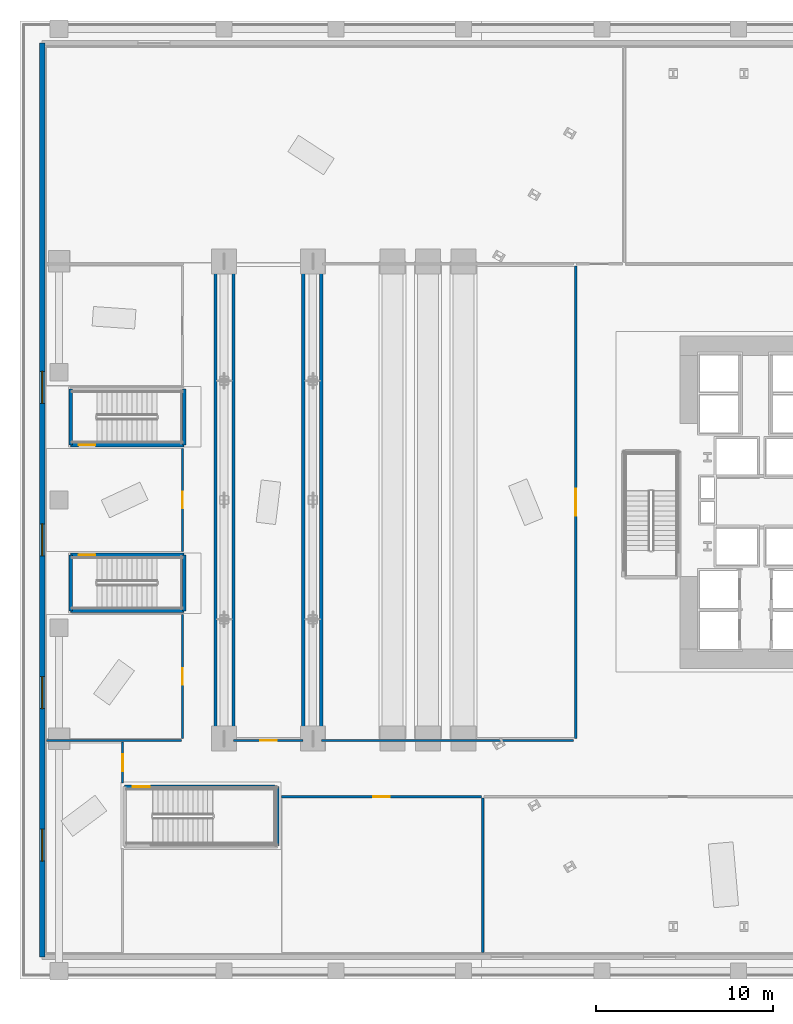
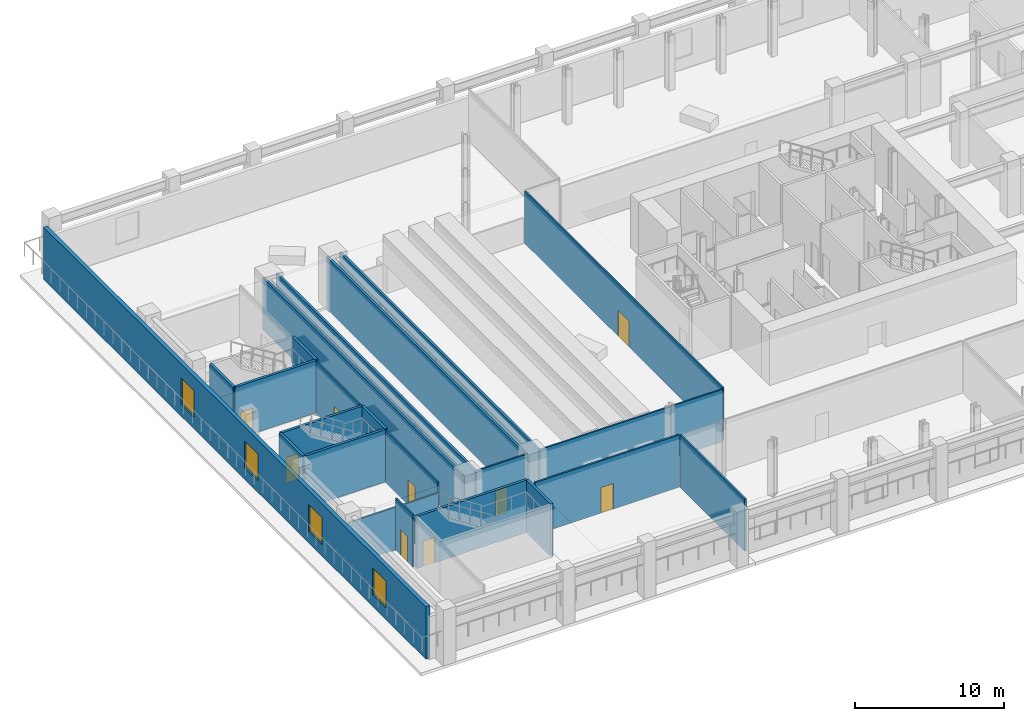
# One storey, part 7 of 24: 23 walls, 9 doors, 4 windows, 13 openings.
"""IFC4 building model written with IfcOpenShell, lengths in metres."""

from ifc_helpers import new_model, si_unit, direction, frame, frame_2d, origin, place, context, subcontext, project, spatial, rectangle, extrude, material, layer, layer_set, type_object, element, fill, save


model = new_model("IFC4")

# Units and contexts
model_context = context("Model", 3, precision=1e-05, world=origin(), true_north=direction((0.0, 1.0)))
body_context = subcontext(model_context, "Body", "Model", "MODEL_VIEW")
ifc_project = project(units=[si_unit("LENGTHUNIT", "METRE"), si_unit("AREAUNIT", "SQUARE_METRE"), si_unit("VOLUMEUNIT", "CUBIC_METRE"), si_unit("PLANEANGLEUNIT", "RADIAN"), si_unit("MASSUNIT", "GRAM", prefix="KILO")], contexts=[model_context])

# Site, building, storey
site_placement = place(None, origin())
site = spatial("IfcSite", under=ifc_project, at=site_placement, CompositionType="ELEMENT")
building_placement = place(site_placement, origin())
building = spatial("IfcBuilding", under=site, at=building_placement, Name="Valkerne Bourse Tower", CompositionType="ELEMENT")
storey_placement = place(building_placement, frame((0.0, 0.0, 19.39990234375)))
storey = spatial("IfcBuildingStorey", under=building, at=storey_placement, Name="L04", CompositionType="ELEMENT", Elevation=19.39990234375)

# Wall, opening, door
ifc_material_1 = material(Name="Gypsum Board Steel-Stud Partition", Category="steel")
ifc_layer_1 = layer(ifc_material_1, 0.117919921875)
ifc_layer_set_1 = layer_set([ifc_layer_1], Name="Gypsum Board Steel-Stud Partition")
wall_type_1 = type_object("IfcWallType", Name="W-CORR-140", PredefinedType="PARTITIONING", material=ifc_layer_set_1)
wall_1_placement = place(storey_placement, frame((5.780029296875, 11.050048828125, 0.0), z_axis=(0.0, 0.0, 1.0), x_axis=(0.0, 1.0, 0.0)))
wall_1 = element("IfcWall", 1, at=wall_1_placement, inside=storey, type_object=wall_type_1, Name="L04 L04 South-West Operations Office Wall", PredefinedType="PARTITIONING", context=body_context, shape_type="SweptSolid", body=[
    extrude(rectangle(XDim=2.300048828125, YDim=0.117919921875, at=frame_2d((1.14990234375, 0.0))), origin(), (0.0, 0.0, 1.0), 4.300048828125),
])
opening_1_placement = place(wall_1_placement, frame((0.675048828125, 0.0, 0.0)))
opening_1 = element("IfcOpeningElement", 2, at=opening_1_placement, cuts=wall_1, Name="Opening D-OF-950", PredefinedType="OPENING", context=body_context, shape_type="SweptSolid", body=[
    extrude(rectangle(XDim=0.949951171875, YDim=2.10009765625, at=frame_2d((0.47509765625, 1.050048828125))), frame((0.0, 0.06884765625, 0.0), z_axis=(0.0, -1.0, 0.0), x_axis=(1.0, 0.0, 0.0)), (0.0, 0.0, 1.0), 0.137939453125),
])
ifc_material_2 = material(Name="Architectural White Oak Timber", Category="wood")
door_type_1 = type_object("IfcDoorType", Name="DR-OFF-950", OperationType="NOTDEFINED", PredefinedType="DOOR", material=ifc_material_2)
door_1_placement = place(opening_1_placement, origin())
door_1 = element("IfcDoor", 3, at=door_1_placement, inside=storey, type_object=door_type_1, Name="L04 L04 SW Office Door", OperationType="SINGLE_SWING_RIGHT", OverallHeight=2.10009765625, OverallWidth=0.949951171875, PredefinedType="DOOR", context=body_context, shape_type="SweptSolid", body=[
    extrude(rectangle(XDim=0.949951171875, YDim=2.10009765625, at=frame_2d((0.47509765625, 1.050048828125))), frame((0.0, 0.02490234375, 0.0), z_axis=(0.0, -1.0, 0.0), x_axis=(1.0, 0.0, 0.0)), (0.0, 0.0, 1.0), 0.050048828125),
])
fill(opening_1, door_1)

wall_2_placement = place(storey_placement, frame((9.159912109375, 24.10009765625, 0.0), z_axis=(0.0, 0.0, 1.0), x_axis=(0.0, 1.0, 0.0)))
wall_2 = element("IfcWall", 4, at=wall_2_placement, inside=storey, type_object=wall_type_1, Name="L04 L04 Garden Stair Vestibule Lounge Wall", PredefinedType="PARTITIONING", context=body_context, shape_type="SweptSolid", body=[
    extrude(rectangle(XDim=5.7998046875, YDim=0.117919921875, at=frame_2d((2.89990234375, 0.0))), origin(), (0.0, 0.0, 1.0), 4.300048828125),
])
opening_2_placement = place(wall_2_placement, frame((2.425048828125, 0.0, 0.0)))
opening_2 = element("IfcOpeningElement", 5, at=opening_2_placement, cuts=wall_2, Name="Opening D-OF-950", PredefinedType="OPENING", context=body_context, shape_type="SweptSolid", body=[
    extrude(rectangle(XDim=0.949951171875, YDim=2.10009765625, at=frame_2d((0.47509765625, 1.050048828125))), frame((0.0, 0.06884765625, 0.0), z_axis=(0.0, -1.0, 0.0), x_axis=(1.0, 0.0, 0.0)), (0.0, 0.0, 1.0), 0.137939453125),
])
door_2_placement = place(opening_2_placement, origin())
door_2 = element("IfcDoor", 6, at=door_2_placement, inside=storey, type_object=door_type_1, Name="L04 L04 Garden Vestibule Lounge Door", OperationType="SINGLE_SWING_RIGHT", OverallHeight=2.10009765625, OverallWidth=0.949951171875, PredefinedType="DOOR", context=body_context, shape_type="SweptSolid", body=[
    extrude(rectangle(XDim=0.949951171875, YDim=2.10009765625, at=frame_2d((0.47509765625, 1.050048828125))), frame((0.0, 0.02490234375, 0.0), z_axis=(0.0, -1.0, 0.0), x_axis=(1.0, 0.0, 0.0)), (0.0, 0.0, 1.0), 0.050048828125),
])
fill(opening_2, door_2)

# Wall
wall_3_placement = place(storey_placement, frame((1.5, 13.449951171875, 0.0), z_axis=(0.0, 0.0, 1.0), x_axis=(1.0, 0.0, 0.0)))
element("IfcWall", 7, at=wall_3_placement, inside=storey, type_object=wall_type_1, Name="L04 L04 West Advisory Office Wall", PredefinedType="PARTITIONING", context=body_context, shape_type="SweptSolid", body=[
    extrude(rectangle(XDim=7.60009765625, YDim=0.117919921875, at=frame_2d((3.800048828125, 0.0))), origin(), (0.0, 0.0, 1.0), 3.505126953125),
])

# Wall, opening, door
wall_4_placement = place(storey_placement, frame((9.159912109375, 13.550048828125, 0.0), z_axis=(0.0, 0.0, 1.0), x_axis=(0.0, 1.0, 0.0)))
wall_4 = element("IfcWall", 8, at=wall_4_placement, inside=storey, type_object=wall_type_1, Name="L04 L04 West Advisory Office Wall", PredefinedType="PARTITIONING", context=body_context, shape_type="SweptSolid", body=[
    extrude(rectangle(XDim=7.0, YDim=0.117919921875, at=frame_2d((3.5, 0.0))), origin(), (0.0, 0.0, 1.0), 4.300048828125),
])
opening_3_placement = place(wall_4_placement, frame((3.02490234375, 0.0, 0.0)))
opening_3 = element("IfcOpeningElement", 9, at=opening_3_placement, cuts=wall_4, Name="Opening D-OF-950", PredefinedType="OPENING", context=body_context, shape_type="SweptSolid", body=[
    extrude(rectangle(XDim=0.949951171875, YDim=2.10009765625, at=frame_2d((0.47509765625, 1.050048828125))), frame((0.0, 0.06884765625, 0.0), z_axis=(0.0, -1.0, 0.0), x_axis=(1.0, 0.0, 0.0)), (0.0, 0.0, 1.0), 0.137939453125),
])
door_3_placement = place(opening_3_placement, origin())
door_3 = element("IfcDoor", 10, at=door_3_placement, inside=storey, type_object=door_type_1, Name="L04 L04 West Advisory Office Door", OperationType="SINGLE_SWING_RIGHT", OverallHeight=2.10009765625, OverallWidth=0.949951171875, PredefinedType="DOOR", context=body_context, shape_type="SweptSolid", body=[
    extrude(rectangle(XDim=0.949951171875, YDim=2.10009765625, at=frame_2d((0.47509765625, 1.050048828125))), frame((0.0, 0.02490234375, 0.0), z_axis=(0.0, -1.0, 0.0), x_axis=(1.0, 0.0, 0.0)), (0.0, 0.0, 1.0), 0.050048828125),
])
fill(opening_3, door_3)

wall_5_placement = place(storey_placement, frame((12.0400390625, 13.449951171875, 0.0), z_axis=(0.0, 0.0, 1.0), x_axis=(1.0, 0.0, 0.0)))
wall_5 = element("IfcWall", 11, at=wall_5_placement, inside=storey, type_object=wall_type_1, Name="L04 L04 Fixed-Income Repo Office Wall", PredefinedType="PARTITIONING", context=body_context, shape_type="SweptSolid", body=[
    extrude(rectangle(XDim=3.919921875, YDim=0.117919921875, at=frame_2d((1.9599609375, 0.0))), origin(), (0.0, 0.0, 1.0), 4.300048828125),
])
opening_4_placement = place(wall_5_placement, frame((1.485107421875, 0.0, 0.0)))
opening_4 = element("IfcOpeningElement", 12, at=opening_4_placement, cuts=wall_5, Name="Opening D-OF-950", PredefinedType="OPENING", context=body_context, shape_type="SweptSolid", body=[
    extrude(rectangle(XDim=0.949951171875, YDim=2.10009765625, at=frame_2d((0.47509765625, 1.050048828125))), frame((0.0, 0.06884765625, 0.0), z_axis=(0.0, -1.0, 0.0), x_axis=(1.0, 0.0, 0.0)), (0.0, 0.0, 1.0), 0.137939453125),
])
door_4_placement = place(opening_4_placement, origin())
door_4 = element("IfcDoor", 13, at=door_4_placement, inside=storey, type_object=door_type_1, Name="L04 L04 Repo Office Door", OperationType="SINGLE_SWING_RIGHT", OverallHeight=2.10009765625, OverallWidth=0.949951171875, PredefinedType="DOOR", context=body_context, shape_type="SweptSolid", body=[
    extrude(rectangle(XDim=0.949951171875, YDim=2.10009765625, at=frame_2d((0.47509765625, 1.050048828125))), frame((0.0, 0.02490234375, 0.0), z_axis=(0.0, -1.0, 0.0), x_axis=(1.0, 0.0, 0.0)), (0.0, 0.0, 1.0), 0.050048828125),
])
fill(opening_4, door_4)

# Wall
wall_6_placement = place(storey_placement, frame((16.97998046875, 13.449951171875, 0.0), z_axis=(0.0, 0.0, 1.0), x_axis=(1.0, 0.0, 0.0)))
element("IfcWall", 14, at=wall_6_placement, inside=storey, type_object=wall_type_1, Name="L04 L04 FX Treasury & Matching Office Wall", PredefinedType="PARTITIONING", context=body_context, shape_type="SweptSolid", body=[
    extrude(rectangle(XDim=14.219970703125, YDim=0.117919921875, at=frame_2d((7.10986328125, 0.0))), origin(), (0.0, 0.0, 1.0), 4.300048828125),
])

# Wall, opening, door
wall_7_placement = place(storey_placement, frame((31.320068359375, 13.550048828125, 0.0), z_axis=(0.0, 0.0, 1.0), x_axis=(0.0, 1.0, 0.0)))
wall_7 = element("IfcWall", 15, at=wall_7_placement, inside=storey, type_object=wall_type_1, Name="L04 L04 FX Treasury & Matching Office Wall", PredefinedType="PARTITIONING", context=body_context, shape_type="SweptSolid", body=[
    extrude(rectangle(XDim=26.64990234375, YDim=0.117919921875, at=frame_2d((13.324951171875, 0.0))), origin(), (0.0, 0.0, 1.0), 4.300048828125),
])
opening_5_placement = place(wall_7_placement, frame((12.574951171875, 0.0, 0.0)))
opening_5 = element("IfcOpeningElement", 16, at=opening_5_placement, cuts=wall_7, Name="Opening D-CR-1500", PredefinedType="OPENING", context=body_context, shape_type="SweptSolid", body=[
    extrude(rectangle(XDim=1.5, YDim=2.14990234375, at=frame_2d((0.75, 1.074951171875))), frame((0.0, 0.06884765625, 0.0), z_axis=(0.0, -1.0, 0.0), x_axis=(1.0, 0.0, 0.0)), (0.0, 0.0, 1.0), 0.137939453125),
])
ifc_material_3 = material(Name="Galvanised Painted Steel", Category="steel")
door_type_2 = type_object("IfcDoorType", Name="DR-CORR-1500", OperationType="DOUBLE_DOOR_SINGLE_SWING", PredefinedType="DOOR", material=ifc_material_3)
door_5_placement = place(opening_5_placement, origin())
door_5 = element("IfcDoor", 17, at=door_5_placement, inside=storey, type_object=door_type_2, Name="L04 L04 FX Treasury Office Door", OperationType="DOUBLE_DOOR_SINGLE_SWING", OverallHeight=2.14990234375, OverallWidth=1.5, PredefinedType="DOOR", context=body_context, shape_type="SweptSolid", body=[
    extrude(rectangle(XDim=1.5, YDim=2.14990234375, at=frame_2d((0.75, 1.074951171875))), frame((0.0, 0.02490234375, 0.0), z_axis=(0.0, -1.0, 0.0), x_axis=(1.0, 0.0, 0.0)), (0.0, 0.0, 1.0), 0.050048828125),
])
fill(opening_5, door_5)

# Wall, openings, windows
ifc_material_4 = material(Name="Bronze Anodised Aluminium AA 6063-T6", Category="aluminium")
ifc_layer_2 = layer(ifc_material_4, 0.300048828125)
ifc_layer_set_2 = layer_set([ifc_layer_2], Name="Bronze Anodised Aluminium AA 6063-T6")
wall_type_2 = type_object("IfcWallType", Name="W-EXT-ALUM-300", PredefinedType="STANDARD", material=ifc_layer_set_2)
wall_8_placement = place(storey_placement, frame((1.25, 1.25, 0.0), z_axis=(0.0, 0.0, 1.0), x_axis=(0.0, 1.0, 0.0)))
wall_8 = element("IfcWall", 18, at=wall_8_placement, inside=storey, type_object=wall_type_2, Name="L04 Podium Exterior Wall WEST", PredefinedType="STANDARD", context=body_context, shape_type="SweptSolid", body=[
    extrude(rectangle(XDim=51.5, YDim=0.300048828125, at=frame_2d((25.75, 0.0))), origin(), (0.0, 0.0, 1.0), 4.300048828125),
])
opening_6_placement = place(wall_8_placement, frame((5.39990234375, 0.0, 0.949951171875)))
opening_6 = element("IfcOpeningElement", 19, at=opening_6_placement, cuts=wall_8, Name="Opening WN-03", PredefinedType="OPENING", context=body_context, shape_type="SweptSolid", body=[
    extrude(rectangle(XDim=1.800048828125, YDim=2.199951171875, at=frame_2d((0.89990234375, 1.10009765625))), frame((0.0, 0.159912109375, 0.0), z_axis=(0.0, -1.0, 0.0), x_axis=(1.0, 0.0, 0.0)), (0.0, 0.0, 1.0), 0.320068359375),
])
opening_7_placement = place(wall_8_placement, frame((14.0, 0.0, 0.949951171875)))
opening_7 = element("IfcOpeningElement", 20, at=opening_7_placement, cuts=wall_8, Name="Opening WN-03", PredefinedType="OPENING", context=body_context, shape_type="SweptSolid", body=[
    extrude(rectangle(XDim=1.800048828125, YDim=2.199951171875, at=frame_2d((0.89990234375, 1.10009765625))), frame((0.0, 0.159912109375, 0.0), z_axis=(0.0, -1.0, 0.0), x_axis=(1.0, 0.0, 0.0)), (0.0, 0.0, 1.0), 0.320068359375),
])
opening_8_placement = place(wall_8_placement, frame((22.60009765625, 0.0, 0.949951171875)))
opening_8 = element("IfcOpeningElement", 21, at=opening_8_placement, cuts=wall_8, Name="Opening WN-03", PredefinedType="OPENING", context=body_context, shape_type="SweptSolid", body=[
    extrude(rectangle(XDim=1.800048828125, YDim=2.199951171875, at=frame_2d((0.89990234375, 1.10009765625))), frame((0.0, 0.159912109375, 0.0), z_axis=(0.0, -1.0, 0.0), x_axis=(1.0, 0.0, 0.0)), (0.0, 0.0, 1.0), 0.320068359375),
])
opening_9_placement = place(wall_8_placement, frame((31.199951171875, 0.0, 0.949951171875)))
opening_9 = element("IfcOpeningElement", 22, at=opening_9_placement, cuts=wall_8, Name="Opening WN-03", PredefinedType="OPENING", context=body_context, shape_type="SweptSolid", body=[
    extrude(rectangle(XDim=1.800048828125, YDim=2.199951171875, at=frame_2d((0.89990234375, 1.10009765625))), frame((0.0, 0.159912109375, 0.0), z_axis=(0.0, -1.0, 0.0), x_axis=(1.0, 0.0, 0.0)), (0.0, 0.0, 1.0), 0.320068359375),
])
ifc_material_5 = material(Name="Glass IGU Low-E Double Glazed", Category="glass")
window_type = type_object("IfcWindowType", Name="WIN-POD-1800X2200", PartitioningType="SINGLE_PANEL", PredefinedType="WINDOW", material=ifc_material_5)
window_1_placement = place(opening_6_placement, origin())
window_1 = element("IfcWindow", 23, at=window_1_placement, inside=storey, type_object=window_type, Name="L04 Podium Low-E Window 01", OverallHeight=2.199951171875, OverallWidth=1.800048828125, PartitioningType="SINGLE_PANEL", PredefinedType="WINDOW", context=body_context, shape_type="SweptSolid", body=[
    extrude(rectangle(XDim=1.800048828125, YDim=2.199951171875, at=frame_2d((0.89990234375, 1.10009765625))), frame((0.0, 0.030029296875, 0.0), z_axis=(0.0, -1.0, 0.0), x_axis=(1.0, 0.0, 0.0)), (0.0, 0.0, 1.0), 0.06005859375),
])
fill(opening_6, window_1)
window_2_placement = place(opening_7_placement, origin())
window_2 = element("IfcWindow", 24, at=window_2_placement, inside=storey, type_object=window_type, Name="L04 Podium Low-E Window 02", OverallHeight=2.199951171875, OverallWidth=1.800048828125, PartitioningType="SINGLE_PANEL", PredefinedType="WINDOW", context=body_context, shape_type="SweptSolid", body=[
    extrude(rectangle(XDim=1.800048828125, YDim=2.199951171875, at=frame_2d((0.89990234375, 1.10009765625))), frame((0.0, 0.030029296875, 0.0), z_axis=(0.0, -1.0, 0.0), x_axis=(1.0, 0.0, 0.0)), (0.0, 0.0, 1.0), 0.06005859375),
])
fill(opening_7, window_2)
window_3_placement = place(opening_8_placement, origin())
window_3 = element("IfcWindow", 25, at=window_3_placement, inside=storey, type_object=window_type, Name="L04 Podium Low-E Window 03", OverallHeight=2.199951171875, OverallWidth=1.800048828125, PartitioningType="SINGLE_PANEL", PredefinedType="WINDOW", context=body_context, shape_type="SweptSolid", body=[
    extrude(rectangle(XDim=1.800048828125, YDim=2.199951171875, at=frame_2d((0.89990234375, 1.10009765625))), frame((0.0, 0.030029296875, 0.0), z_axis=(0.0, -1.0, 0.0), x_axis=(1.0, 0.0, 0.0)), (0.0, 0.0, 1.0), 0.06005859375),
])
fill(opening_8, window_3)
window_4_placement = place(opening_9_placement, origin())
window_4 = element("IfcWindow", 26, at=window_4_placement, inside=storey, type_object=window_type, Name="L04 Podium Low-E Window 04", OverallHeight=2.199951171875, OverallWidth=1.800048828125, PartitioningType="SINGLE_PANEL", PredefinedType="WINDOW", context=body_context, shape_type="SweptSolid", body=[
    extrude(rectangle(XDim=1.800048828125, YDim=2.199951171875, at=frame_2d((0.89990234375, 1.10009765625))), frame((0.0, 0.030029296875, 0.0), z_axis=(0.0, -1.0, 0.0), x_axis=(1.0, 0.0, 0.0)), (0.0, 0.0, 1.0), 0.06005859375),
])
fill(opening_9, window_4)

# Walls
ifc_material_6 = material(Name="Gypsum Fire-Rated Shaftwall", Category="gypsum")
ifc_layer_3 = layer(ifc_material_6, 0.179931640625)
ifc_layer_set_3 = layer_set([ifc_layer_3], Name="Gypsum Fire-Rated Shaftwall")
wall_type_3 = type_object("IfcWallType", Name="W-FSAE-180", PredefinedType="PARTITIONING", material=ifc_layer_set_3)
for number, where, z_axis, x_axis, name in (
    (27, (11.02001953125, 13.449951171875, 0.0), (0.0, 0.0, 1.0), (0.0, 1.0, 0.0), "L04 L04 Fixed-Income Repo Office Wall"),
    (28, (12.0400390625, 13.449951171875, 0.0), (0.0, 0.0, 1.0), (0.0, 1.0, 0.0), "L04 L04 Fixed-Income Repo Office Wall"),
    (29, (15.9599609375, 13.449951171875, 0.0), (0.0, 0.0, 1.0), (0.0, 1.0, 0.0), "L04 L04 Fixed-Income Repo Office Wall"),
    (30, (16.97998046875, 13.449951171875, 0.0), (0.0, 0.0, 1.0), (0.0, 1.0, 0.0), "L04 L04 Fixed-Income Repo Office Wall"),
):
    element("IfcWall", number, at=place(storey_placement, frame(where, z_axis=z_axis, x_axis=x_axis)), inside=storey, type_object=wall_type_3, Name=name, PredefinedType="PARTITIONING", context=body_context, shape_type="SweptSolid", body=[
        extrude(rectangle(XDim=26.800048828125, YDim=0.179931640625, at=frame_2d((13.39990234375, 0.0))), origin(), (0.0, 0.0, 1.0), 4.300048828125),
    ])

# Wall, opening, door
ifc_material_7 = material(Name="Concrete C40/50", Category="concrete")
ifc_layer_4 = layer(ifc_material_7, 0.199951171875)
ifc_layer_set_4 = layer_set([ifc_layer_4], Name="Concrete C40/50")
wall_type_4 = type_object("IfcWallType", Name="W-SHF-200", PredefinedType="SHEAR", material=ifc_layer_set_4)
wall_9_placement = place(storey_placement, frame((5.89990234375, 10.85009765625, 0.0), z_axis=(0.0, 0.0, 1.0), x_axis=(1.0, 0.0, 0.0)))
wall_9 = element("IfcWall", 31, at=wall_9_placement, inside=storey, type_object=wall_type_4, Name="L04 Exit Stair ST-P1 Structural North Wall", PredefinedType="SHEAR", context=body_context, shape_type="SweptSolid", body=[
    extrude(rectangle(XDim=8.60009765625, YDim=0.199951171875, at=frame_2d((4.300048828125, 0.0))), origin(), (0.0, 0.0, 1.0), 4.300048828125),
])
opening_10_placement = place(wall_9_placement, frame((0.449951171875, 0.0, 0.0)))
opening_10 = element("IfcOpeningElement", 32, at=opening_10_placement, cuts=wall_9, Name="Opening D-ST-950", PredefinedType="OPENING", context=body_context, shape_type="SweptSolid", body=[
    extrude(rectangle(XDim=0.949951171875, YDim=2.10009765625, at=frame_2d((0.47509765625, 1.050048828125))), frame((0.0, 0.10986328125, 0.0), z_axis=(0.0, -1.0, 0.0), x_axis=(1.0, 0.0, 0.0)), (0.0, 0.0, 1.0), 0.219970703125),
])
door_type_3 = type_object("IfcDoorType", Name="DR-STAIR-950", OperationType="NOTDEFINED", PredefinedType="DOOR", material=ifc_material_3)
door_6_placement = place(opening_10_placement, origin())
door_6 = element("IfcDoor", 33, at=door_6_placement, inside=storey, type_object=door_type_3, Name="L04 Exit Stair ST-P1 Door", OperationType="SINGLE_SWING_LEFT", OverallHeight=2.10009765625, OverallWidth=0.949951171875, PredefinedType="DOOR", context=body_context, shape_type="SweptSolid", body=[
    extrude(rectangle(XDim=0.949951171875, YDim=2.10009765625, at=frame_2d((0.47509765625, 1.050048828125))), frame((0.0, 0.02490234375, 0.0), z_axis=(0.0, -1.0, 0.0), x_axis=(1.0, 0.0, 0.0)), (0.0, 0.0, 1.0), 0.050048828125),
])
fill(opening_10, door_6)

# Walls
wall_10_placement = place(storey_placement, frame((14.5, 7.5, 0.0), z_axis=(0.0, 0.0, 1.0), x_axis=(0.0, 1.0, 0.0)))
element("IfcWall", 34, at=wall_10_placement, inside=storey, type_object=wall_type_4, Name="L04 Exit Stair ST-P1 Structural East Wall", PredefinedType="SHEAR", context=body_context, shape_type="SweptSolid", body=[
    extrude(rectangle(XDim=3.35009765625, YDim=0.199951171875, at=frame_2d((1.675048828125, 0.0))), origin(), (0.0, 0.0, 1.0), 4.300048828125),
])
wall_11_placement = place(storey_placement, frame((2.85009765625, 20.75, 0.0), z_axis=(0.0, 0.0, 1.0), x_axis=(1.0, 0.0, 0.0)))
element("IfcWall", 35, at=wall_11_placement, inside=storey, type_object=wall_type_4, Name="L04 Exit Stair ST-G1 Structural South Wall", PredefinedType="SHEAR", context=body_context, shape_type="SweptSolid", body=[
    extrude(rectangle(XDim=6.39990234375, YDim=0.199951171875, at=frame_2d((3.199951171875, 0.0))), origin(), (0.0, 0.0, 1.0), 4.300048828125),
])

# Wall, opening, door
wall_12_placement = place(storey_placement, frame((2.85009765625, 23.89990234375, 0.0), z_axis=(0.0, 0.0, 1.0), x_axis=(1.0, 0.0, 0.0)))
wall_12 = element("IfcWall", 36, at=wall_12_placement, inside=storey, type_object=wall_type_4, Name="L04 Exit Stair ST-G1 Structural North Wall", PredefinedType="SHEAR", context=body_context, shape_type="SweptSolid", body=[
    extrude(rectangle(XDim=6.39990234375, YDim=0.199951171875, at=frame_2d((3.199951171875, 0.0))), origin(), (0.0, 0.0, 1.0), 4.300048828125),
])
opening_11_placement = place(wall_12_placement, frame((0.449951171875, 0.0, 0.0)))
opening_11 = element("IfcOpeningElement", 37, at=opening_11_placement, cuts=wall_12, Name="Opening D-ST-950", PredefinedType="OPENING", context=body_context, shape_type="SweptSolid", body=[
    extrude(rectangle(XDim=0.949951171875, YDim=2.10009765625, at=frame_2d((0.47509765625, 1.050048828125))), frame((0.0, 0.10986328125, 0.0), z_axis=(0.0, -1.0, 0.0), x_axis=(1.0, 0.0, 0.0)), (0.0, 0.0, 1.0), 0.219970703125),
])
door_7_placement = place(opening_11_placement, origin())
door_7 = element("IfcDoor", 38, at=door_7_placement, inside=storey, type_object=door_type_3, Name="L04 Exit Stair ST-G1 Door", OperationType="SINGLE_SWING_RIGHT", OverallHeight=2.10009765625, OverallWidth=0.949951171875, PredefinedType="DOOR", context=body_context, shape_type="SweptSolid", body=[
    extrude(rectangle(XDim=0.949951171875, YDim=2.10009765625, at=frame_2d((0.47509765625, 1.050048828125))), frame((0.0, 0.02490234375, 0.0), z_axis=(0.0, -1.0, 0.0), x_axis=(1.0, 0.0, 0.0)), (0.0, 0.0, 1.0), 0.050048828125),
])
fill(opening_11, door_7)

# Walls
for number, where, z_axis, x_axis, name in (
    (39, (2.85009765625, 20.75, 0.0), (0.0, 0.0, 1.0), (0.0, 1.0, 0.0), "L04 Exit Stair ST-G1 Structural West Wall"),
    (40, (9.25, 20.75, 0.0), (0.0, 0.0, 1.0), (0.0, 1.0, 0.0), "L04 Exit Stair ST-G1 Structural East Wall"),
):
    element("IfcWall", number, at=place(storey_placement, frame(where, z_axis=z_axis, x_axis=x_axis)), inside=storey, type_object=wall_type_4, Name=name, PredefinedType="SHEAR", context=body_context, shape_type="SweptSolid", body=[
        extrude(rectangle(XDim=3.14990234375, YDim=0.199951171875, at=frame_2d((1.574951171875, 0.0))), origin(), (0.0, 0.0, 1.0), 4.300048828125),
    ])

# Wall, opening, door
wall_13_placement = place(storey_placement, frame((2.85009765625, 30.10009765625, 0.0), z_axis=(0.0, 0.0, 1.0), x_axis=(1.0, 0.0, 0.0)))
wall_13 = element("IfcWall", 41, at=wall_13_placement, inside=storey, type_object=wall_type_4, Name="L04 Exit Stair ST-G2 Structural South Wall", PredefinedType="SHEAR", context=body_context, shape_type="SweptSolid", body=[
    extrude(rectangle(XDim=6.39990234375, YDim=0.199951171875, at=frame_2d((3.199951171875, 0.0))), origin(), (0.0, 0.0, 1.0), 4.300048828125),
])
opening_12_placement = place(wall_13_placement, frame((0.449951171875, 0.0, 0.0)))
opening_12 = element("IfcOpeningElement", 42, at=opening_12_placement, cuts=wall_13, Name="Opening D-ST-950", PredefinedType="OPENING", context=body_context, shape_type="SweptSolid", body=[
    extrude(rectangle(XDim=0.949951171875, YDim=2.10009765625, at=frame_2d((0.47509765625, 1.050048828125))), frame((0.0, 0.10986328125, 0.0), z_axis=(0.0, -1.0, 0.0), x_axis=(1.0, 0.0, 0.0)), (0.0, 0.0, 1.0), 0.219970703125),
])
door_8_placement = place(opening_12_placement, origin())
door_8 = element("IfcDoor", 43, at=door_8_placement, inside=storey, type_object=door_type_3, Name="L04 Exit Stair ST-G2 Door", OperationType="SINGLE_SWING_RIGHT", OverallHeight=2.10009765625, OverallWidth=0.949951171875, PredefinedType="DOOR", context=body_context, shape_type="SweptSolid", body=[
    extrude(rectangle(XDim=0.949951171875, YDim=2.10009765625, at=frame_2d((0.47509765625, 1.050048828125))), frame((0.0, 0.02490234375, 0.0), z_axis=(0.0, -1.0, 0.0), x_axis=(1.0, 0.0, 0.0)), (0.0, 0.0, 1.0), 0.050048828125),
])
fill(opening_12, door_8)

# Walls
for number, where, z_axis, x_axis, name in (
    (44, (2.85009765625, 30.10009765625, 0.0), (0.0, 0.0, 1.0), (0.0, 1.0, 0.0), "L04 Exit Stair ST-G2 Structural West Wall"),
    (45, (9.25, 30.10009765625, 0.0), (0.0, 0.0, 1.0), (0.0, 1.0, 0.0), "L04 Exit Stair ST-G2 Structural East Wall"),
):
    element("IfcWall", number, at=place(storey_placement, frame(where, z_axis=z_axis, x_axis=x_axis)), inside=storey, type_object=wall_type_4, Name=name, PredefinedType="SHEAR", context=body_context, shape_type="SweptSolid", body=[
        extrude(rectangle(XDim=3.14990234375, YDim=0.199951171875, at=frame_2d((1.574951171875, 0.0))), origin(), (0.0, 0.0, 1.0), 4.300048828125),
    ])
ifc_material_8 = material(Name="Moisture-Resistant Gypsum Partition", Category="gypsum")
ifc_layer_5 = layer(ifc_material_8, 0.139892578125)
ifc_layer_set_5 = layer_set([ifc_layer_5], Name="Moisture-Resistant Gypsum Partition")
wall_type_5 = type_object("IfcWallType", Name="W-WET-140", PredefinedType="PARTITIONING", material=ifc_layer_set_5)
wall_14_placement = place(storey_placement, frame((26.080078125, 1.5, 0.0), z_axis=(0.0, 0.0, 1.0), x_axis=(0.0, 1.0, 0.0)))
element("IfcWall", 46, at=wall_14_placement, inside=storey, type_object=wall_type_5, Name="L04 L04 Staff Break Kitchen & Pantry Wall", PredefinedType="PARTITIONING", context=body_context, shape_type="SweptSolid", body=[
    extrude(rectangle(XDim=8.699951171875, YDim=0.139892578125, at=frame_2d((4.35009765625, 0.0))), origin(), (0.0, 0.0, 1.0), 4.300048828125),
])

# Wall, opening, door
wall_15_placement = place(storey_placement, frame((14.75, 10.280029296875, 0.0), z_axis=(0.0, 0.0, 1.0), x_axis=(1.0, 0.0, 0.0)))
wall_15 = element("IfcWall", 47, at=wall_15_placement, inside=storey, type_object=wall_type_5, Name="L04 L04 Staff Break Kitchen & Pantry Wall", PredefinedType="PARTITIONING", context=body_context, shape_type="SweptSolid", body=[
    extrude(rectangle(XDim=11.25, YDim=0.139892578125, at=frame_2d((5.625, 0.0))), origin(), (0.0, 0.0, 1.0), 4.300048828125),
])
opening_13_placement = place(wall_15_placement, frame((5.14990234375, 0.0, 0.0)))
opening_13 = element("IfcOpeningElement", 48, at=opening_13_placement, cuts=wall_15, Name="Opening D-OF-950", PredefinedType="OPENING", context=body_context, shape_type="SweptSolid", body=[
    extrude(rectangle(XDim=0.949951171875, YDim=2.10009765625, at=frame_2d((0.47509765625, 1.050048828125))), frame((0.0, 0.079833984375, 0.0), z_axis=(0.0, -1.0, 0.0), x_axis=(1.0, 0.0, 0.0)), (0.0, 0.0, 1.0), 0.159912109375),
])
door_9_placement = place(opening_13_placement, origin())
door_9 = element("IfcDoor", 49, at=door_9_placement, inside=storey, type_object=door_type_1, Name="L04 L04 Staff Kitchen Door", OperationType="SINGLE_SWING_LEFT", OverallHeight=2.10009765625, OverallWidth=0.949951171875, PredefinedType="DOOR", context=body_context, shape_type="SweptSolid", body=[
    extrude(rectangle(XDim=0.949951171875, YDim=2.10009765625, at=frame_2d((0.47509765625, 1.050048828125))), frame((0.0, 0.02490234375, 0.0), z_axis=(0.0, -1.0, 0.0), x_axis=(1.0, 0.0, 0.0)), (0.0, 0.0, 1.0), 0.050048828125),
])
fill(opening_13, door_9)

save(model, "model.ifc")
